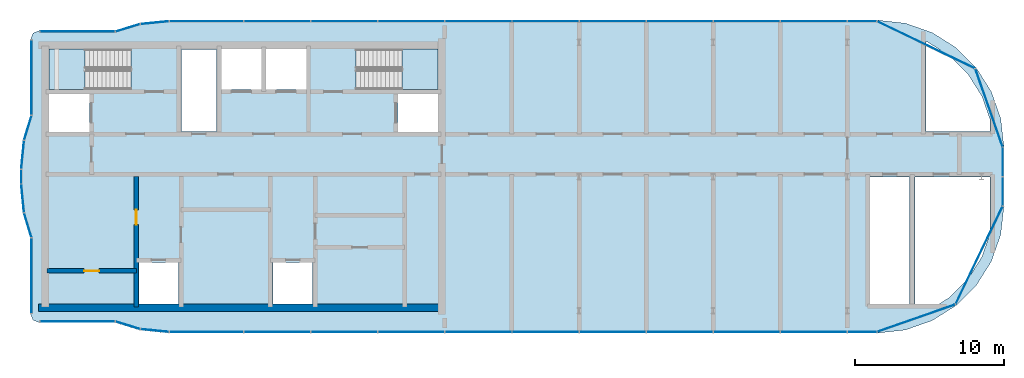
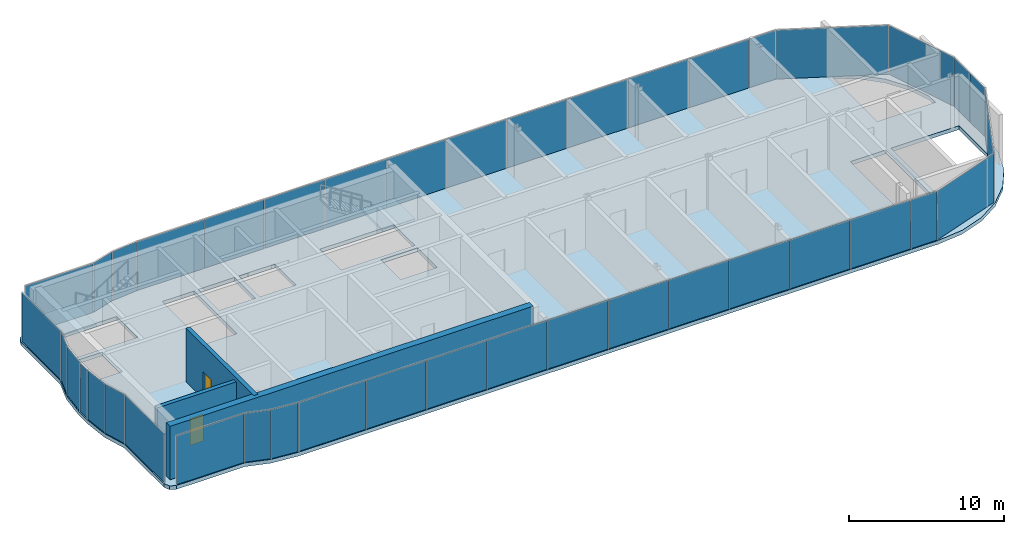
# One storey, part 10 of 14: 41 plates, 3 slabs, 3 walls, 2 doors, 2 openings, 22 elements without a shape of their own.
"""IFC4 building model written with IfcOpenShell, lengths in metres."""

import ifcopenshell
import ifcopenshell.guid

model = None  # the IFC model being written
_history = None  # IfcOwnerHistory: only IFC2X3 demands one
_inside = {}  # id of a spatial element -> (the spatial element, [elements in it])
_under = {}  # id of a project, library or spatial element -> (it, [spatial elements below it])
_declared = {}  # id of a project -> (the project, [libraries it declares])
_typed = {}  # id of a type object -> (the type object, [elements of that type])
_made_of = {}  # id of a material, layer set ... -> (it, [elements and type objects made of it])


def new_model(schema):
    """Start an empty IFC model of exactly this schema.

    Asked for "IFC4X3", IfcOpenShell would pick the latest addendum, in which some entities
    have other attributes; the version numbers below select the first issue.
    IFC2X3 requires an IfcOwnerHistory on every rooted entity: one is made here for all.
    """
    global model, _history
    if schema == "IFC4X3":
        model = ifcopenshell.file(schema_version=(4, 3, 0, 0))
    else:
        model = ifcopenshell.file(schema=schema)
    _inside.clear()
    _under.clear()
    _declared.clear()
    _typed.clear()
    _made_of.clear()
    _history = None
    if model.schema == "IFC2X3":
        org = make("IfcOrganization", Name="unknown")
        user = make(
            "IfcPersonAndOrganization",
            ThePerson=make("IfcPerson", FamilyName="unknown"),
            TheOrganization=org,
        )
        app = make(
            "IfcApplication",
            ApplicationDeveloper=org,
            Version="unknown",
            ApplicationFullName="unknown",
            ApplicationIdentifier="unknown",
        )
        _history = make(
            "IfcOwnerHistory",
            OwningUser=user,
            OwningApplication=app,
            ChangeAction="ADDED",
            CreationDate=0,
        )
    return model


def make(cls, **values):
    """One entity of the class cls with the attributes given. An attribute that is None is left unset."""
    return model.create_entity(
        cls, **{name: value for name, value in values.items() if value is not None}
    )


def rooted(cls, **values):
    """An entity with a GlobalId (a new one), such as an element, a storey or a relation."""
    return make(cls, GlobalId=ifcopenshell.guid.new(), OwnerHistory=_history, **values)


def si_unit(unit_type, name, prefix=None):
    """IfcSIUnit, for example si_unit("LENGTHUNIT", "METRE", prefix="MILLI")."""
    return make("IfcSIUnit", UnitType=unit_type, Prefix=prefix, Name=name)


def assignment(units):
    """IfcUnitAssignment: the units of a project."""
    return None if units is None else make("IfcUnitAssignment", Units=units)


def point(xyz):
    """IfcCartesianPoint."""
    return None if xyz is None else make("IfcCartesianPoint", Coordinates=xyz)


def direction(xyz):
    """IfcDirection."""
    return None if xyz is None else make("IfcDirection", DirectionRatios=xyz)


def frame(location, z_axis=None, x_axis=None):
    """IfcAxis2Placement3D, a coordinate frame: its origin and axes. An axis left out is left unset."""
    return make(
        "IfcAxis2Placement3D",
        Location=point(location),
        Axis=direction(z_axis),
        RefDirection=direction(x_axis),
    )


def frame_2d(location, x_axis=None):
    """IfcAxis2Placement2D, a coordinate frame in the plane: its origin and x axis."""
    return make(
        "IfcAxis2Placement2D", Location=point(location), RefDirection=direction(x_axis)
    )


def origin():
    """The frame at (0, 0, 0) with its axes left unset."""
    return frame((0.0, 0.0, 0.0))


def origin_2d():
    """The frame at (0, 0) in the plane with its x axis left unset."""
    return frame_2d((0.0, 0.0))


def place(relative_to, where):
    """IfcLocalPlacement: puts the frame where relative to a parent placement (None: the world)."""
    return make(
        "IfcLocalPlacement", PlacementRelTo=relative_to, RelativePlacement=where
    )


def context(
    kind, dimensions, precision=None, world=None, true_north=None, identifier=None
):
    """IfcGeometricRepresentationContext, for example the 3D "Model" context."""
    return make(
        "IfcGeometricRepresentationContext",
        ContextIdentifier=identifier,
        ContextType=kind,
        CoordinateSpaceDimension=dimensions,
        Precision=precision,
        WorldCoordinateSystem=world,
        TrueNorth=true_north,
    )


def subcontext(parent, identifier, kind, view, scale=None):
    """IfcGeometricRepresentationSubContext, for example "Body" below "Model"."""
    return make(
        "IfcGeometricRepresentationSubContext",
        ContextIdentifier=identifier,
        ContextType=kind,
        ParentContext=parent,
        TargetScale=scale,
        TargetView=view,
    )


def project(units=None, contexts=None):
    """IfcProject with its units and contexts."""
    return rooted(
        "IfcProject",
        Name="project",
        RepresentationContexts=contexts,
        UnitsInContext=assignment(units),
    )


def spatial(cls, under=None, at=None, **own):
    """A site, building, storey or space (cls), placed at a placement, below another one or the project."""
    s = rooted(cls, ObjectPlacement=at, **own)
    if under is not None:
        _under.setdefault(under.id(), (under, []))[1].append(s)
    return s


def polyline(points):
    """IfcPolyline through the points."""
    return make("IfcPolyline", Points=[point(p) for p in points])


def profile(cls, at=None, kind="AREA", **sizes):
    """A parametric profile (cls). Its sizes go by their IFC names, for example OverallWidth=200.0."""
    return make(cls, ProfileType=kind, Position=at, **sizes)


def rectangle(**sizes):
    """IfcRectangleProfileDef."""
    return profile("IfcRectangleProfileDef", **sizes)


def outline(outer, holes=None, kind="AREA"):
    """IfcArbitraryClosedProfileDef: a profile drawn as a closed curve; with holes, ...WithVoids."""
    if holes is None:
        return make("IfcArbitraryClosedProfileDef", ProfileType=kind, OuterCurve=outer)
    return make(
        "IfcArbitraryProfileDefWithVoids",
        ProfileType=kind,
        OuterCurve=outer,
        InnerCurves=holes,
    )


def extrude(swept, where, along, depth):
    """IfcExtrudedAreaSolid: the profile swept, set in the frame where, extruded along a direction by depth."""
    return make(
        "IfcExtrudedAreaSolid",
        SweptArea=swept,
        Position=where,
        ExtrudedDirection=direction(along),
        Depth=depth,
    )


def shape(context_of_items, identifier, shape_type, items):
    """IfcShapeRepresentation: the items that make up one representation, for example the "Body"."""
    return make(
        "IfcShapeRepresentation",
        ContextOfItems=context_of_items,
        RepresentationIdentifier=identifier,
        RepresentationType=shape_type,
        Items=items,
    )


def material(Name=None, Category=None):
    """IfcMaterial."""
    return make("IfcMaterial", Name=Name, Category=Category)


def layer(
    of_material, thickness, ventilated=None, Name=None, Category=None, Priority=None
):
    """IfcMaterialLayer: one layer of a wall or slab, of a material (None: an air gap)."""
    return make(
        "IfcMaterialLayer",
        Material=of_material,
        LayerThickness=thickness,
        IsVentilated=ventilated,
        Name=Name,
        Category=Category,
        Priority=Priority,
    )


def layer_set(layers, Name=None):
    """IfcMaterialLayerSet."""
    return make("IfcMaterialLayerSet", MaterialLayers=layers, LayerSetName=Name)


def made_of(thing, what):
    """Note that an element or type object is made of a material, layer set ...; save() writes the relation."""
    if what is not None:
        _made_of.setdefault(what.id(), (what, []))[1].append(thing)
    return thing


def type_object(cls, material=None, **own):
    """A type object (cls), such as IfcWallType, which elements share."""
    return made_of(rooted(cls, **own), material)


def element(
    cls,
    number,
    at=None,
    inside=None,
    cuts=None,
    type_object=None,
    material=None,
    context=None,
    identifier="Body",
    shape_type=None,
    held_by="IfcProductDefinitionShape",
    body=None,
    shapes=None,
    **own,
):
    """One element of the class cls, such as IfcWall. Its Tag is "e" and its number.

    at: its placement. inside: the storey or other place that contains it. cuts: it is an
    opening in that element (IfcRelVoidsElement). A single representation is given by context,
    identifier, shape_type and body (its items); several are given by shapes. held_by: the class
    of the entity that holds the representations. save() writes the other relations.
    """
    e = rooted(cls, Tag="e%d" % number, ObjectPlacement=at, **own)
    if body is not None:
        shapes = [shape(context, identifier, shape_type, body)]
    if shapes is not None:
        e.Representation = make(held_by, Representations=shapes)
    if inside is not None:
        _inside.setdefault(inside.id(), (inside, []))[1].append(e)
    if cuts is not None:
        rooted(
            "IfcRelVoidsElement", RelatingBuildingElement=cuts, RelatedOpeningElement=e
        )
    if type_object is not None:
        _typed.setdefault(type_object.id(), (type_object, []))[1].append(e)
    return made_of(e, material)


def fill(opening, filler):
    """IfcRelFillsElement: the door or window that sits in an opening."""
    return rooted(
        "IfcRelFillsElement",
        RelatingOpeningElement=opening,
        RelatedBuildingElement=filler,
    )


def aggregate(whole, parts):
    """IfcRelAggregates: a whole, such as a stair, and the parts it consists of."""
    return rooted("IfcRelAggregates", RelatingObject=whole, RelatedObjects=parts)


def save(model, path):
    """Write the relations noted so far, then the file.

    IfcRelAggregates (storeys below a building ...), IfcRelContainedInSpatialStructure (elements
    in a storey), IfcRelDefinesByType, IfcRelAssociatesMaterial and IfcRelDeclares: one each for
    every whole, place, type object, material and project.
    """
    for whole, parts in _under.values():
        aggregate(whole, parts)
    for where, things in _inside.values():
        rooted(
            "IfcRelContainedInSpatialStructure",
            RelatedElements=things,
            RelatingStructure=where,
        )
    for kind, things in _typed.values():
        rooted("IfcRelDefinesByType", RelatedObjects=things, RelatingType=kind)
    for what, things in _made_of.values():
        rooted("IfcRelAssociatesMaterial", RelatedObjects=things, RelatingMaterial=what)
    for by, libraries in _declared.values():
        rooted("IfcRelDeclares", RelatingContext=by, RelatedDefinitions=libraries)
    model.write(path)


model = new_model("IFC4")

# Units and contexts
model_context = context("Model", 3, precision=1e-05, world=origin(), true_north=direction((0.0, 1.0)))
body_context = subcontext(model_context, "Body", "Model", "MODEL_VIEW")
ifc_project = project(units=[si_unit("LENGTHUNIT", "METRE"), si_unit("AREAUNIT", "SQUARE_METRE"), si_unit("VOLUMEUNIT", "CUBIC_METRE"), si_unit("PLANEANGLEUNIT", "RADIAN"), si_unit("MASSUNIT", "GRAM", prefix="KILO")], contexts=[model_context])

# Site, building, storey
site_placement = place(None, origin())
site = spatial("IfcSite", under=ifc_project, at=site_placement, CompositionType="ELEMENT")
building_placement = place(site_placement, origin())
building = spatial("IfcBuilding", under=site, at=building_placement, Name="Ogive Portal Towers", CompositionType="ELEMENT")
storey_placement = place(building_placement, frame((0.0, 0.0, 277.10009765625)))
storey = spatial("IfcBuildingStorey", under=building, at=storey_placement, Name="L67", CompositionType="ELEMENT", Elevation=277.10009765625)

# Curtain wall, plate
ifc_material_1 = material(Name="Glass, clear low-iron insulated glazing", Category="glass")
curtain_wall_type = type_object("IfcCurtainWallType", Name="CW CROWN GLAZING", PredefinedType="NOTDEFINED", material=ifc_material_1)
curtain_wall_1_placement = place(storey_placement, origin())
curtain_wall_1 = element("IfcCurtainWall", 1, at=curtain_wall_1_placement, inside=storey, type_object=curtain_wall_type, Name="A:L67:c00:cw", PredefinedType="NOTDEFINED")
ifc_layer_1 = layer(ifc_material_1, 0.028076171875)
ifc_layer_set_1 = layer_set([ifc_layer_1], Name="CW PANEL IGU 28")
plate_type = type_object("IfcPlateType", Name="CW PANEL IGU 28", PredefinedType="CURTAIN_PANEL", material=ifc_layer_set_1)
plate_1_placement = place(storey_placement, frame((30.780029296875, 23.851318359375, 0.0), z_axis=(0.0, 0.0, 1.0), x_axis=(0.0, -1.0, 0.0)))
plate_1 = element("IfcPlate", 2, at=plate_1_placement, type_object=plate_type, Name="panel", PredefinedType="CURTAIN_PANEL", context=body_context, shape_type="SweptSolid", body=[
    extrude(rectangle(XDim=5.010986328125, YDim=0.028076171875, at=origin_2d()), origin(), (0.0, 0.0, 1.0), 3.840087890625),
])
aggregate(curtain_wall_1, [plate_1])

curtain_wall_2_placement = place(storey_placement, origin())
curtain_wall_2 = element("IfcCurtainWall", 3, at=curtain_wall_2_placement, inside=storey, type_object=curtain_wall_type, Name="A:L67:c03:cw", PredefinedType="NOTDEFINED")
plate_2_placement = place(storey_placement, frame((33.851318359375, 20.780029296875, 0.0), z_axis=(0.0, 0.0, 1.0), x_axis=(1.0, 0.0, 0.0)))
plate_2 = element("IfcPlate", 4, at=plate_2_placement, type_object=plate_type, Name="panel", PredefinedType="CURTAIN_PANEL", context=body_context, shape_type="SweptSolid", body=[
    extrude(rectangle(XDim=5.010986328125, YDim=0.028076171875, at=origin_2d()), origin(), (0.0, 0.0, 1.0), 3.840087890625),
])
aggregate(curtain_wall_2, [plate_2])

curtain_wall_3_placement = place(storey_placement, origin())
curtain_wall_3 = element("IfcCurtainWall", 5, at=curtain_wall_3_placement, inside=storey, type_object=curtain_wall_type, Name="A:L67:c04:cw", PredefinedType="NOTDEFINED")
plate_3_placement = place(storey_placement, frame((37.225830078125, 20.525390625, 0.0), z_axis=(0.0, 0.0, 1.0), x_axis=(0.956940335732, -0.290284677254, 0.0)))
plate_3 = element("IfcPlate", 6, at=plate_3_placement, type_object=plate_type, Name="panel", PredefinedType="CURTAIN_PANEL", context=body_context, shape_type="SweptSolid", body=[
    extrude(rectangle(XDim=1.693603515625, YDim=0.028076171875, at=origin_2d()), origin(), (0.0, 0.0, 1.0), 3.840087890625),
])
aggregate(curtain_wall_3, [plate_3])

curtain_wall_4_placement = place(storey_placement, origin())
curtain_wall_4 = element("IfcCurtainWall", 7, at=curtain_wall_4_placement, inside=storey, type_object=curtain_wall_type, Name="A:L67:c05:cw", PredefinedType="NOTDEFINED")
plate_4_placement = place(storey_placement, frame((39.034423828125, 20.175537109375, 0.0), z_axis=(0.0, 0.0, 1.0), x_axis=(0.995184726672, -0.09801714033, 0.0)))
plate_4 = element("IfcPlate", 8, at=plate_4_placement, type_object=plate_type, Name="panel", PredefinedType="CURTAIN_PANEL", context=body_context, shape_type="SweptSolid", body=[
    extrude(rectangle(XDim=1.888427734375, YDim=0.028076171875, at=origin_2d()), origin(), (0.0, 0.0, 1.0), 3.840087890625),
])
aggregate(curtain_wall_4, [plate_4])

# Curtain wall, plates
curtain_wall_5_placement = place(storey_placement, origin())
curtain_wall_5 = element("IfcCurtainWall", 9, at=curtain_wall_5_placement, inside=storey, type_object=curtain_wall_type, Name="A:L67:c06:cw", PredefinedType="NOTDEFINED")
plate_5_placement = place(storey_placement, frame((42.501953125, 20.080078125, 0.0), z_axis=(0.0, 0.0, 1.0), x_axis=(1.0, 0.0, 0.0)))
plate_5 = element("IfcPlate", 10, at=plate_5_placement, type_object=plate_type, Name="panel", PredefinedType="CURTAIN_PANEL", context=body_context, shape_type="SweptSolid", body=[
    extrude(rectangle(XDim=4.93603515625, YDim=0.028076171875, at=origin_2d()), origin(), (0.0, 0.0, 1.0), 3.840087890625),
])
plate_6_placement = place(storey_placement, frame((47.25, 20.080078125, 0.0), z_axis=(0.0, 0.0, 1.0), x_axis=(1.0, 0.0, 0.0)))
plate_6 = element("IfcPlate", 11, at=plate_6_placement, type_object=plate_type, Name="panel", PredefinedType="CURTAIN_PANEL", context=body_context, shape_type="SweptSolid", body=[
    extrude(rectangle(XDim=4.43994140625, YDim=0.028076171875, at=origin_2d()), origin(), (0.0, 0.0, 1.0), 3.840087890625),
])
plate_7_placement = place(storey_placement, frame((51.75, 20.080078125, 0.0), z_axis=(0.0, 0.0, 1.0), x_axis=(1.0, 0.0, 0.0)))
plate_7 = element("IfcPlate", 12, at=plate_7_placement, type_object=plate_type, Name="panel", PredefinedType="CURTAIN_PANEL", context=body_context, shape_type="SweptSolid", body=[
    extrude(rectangle(XDim=4.43994140625, YDim=0.028076171875, at=origin_2d()), origin(), (0.0, 0.0, 1.0), 3.840087890625),
])
plate_8_placement = place(storey_placement, frame((56.25, 20.080078125, 0.0), z_axis=(0.0, 0.0, 1.0), x_axis=(1.0, 0.0, 0.0)))
plate_8 = element("IfcPlate", 13, at=plate_8_placement, type_object=plate_type, Name="panel", PredefinedType="CURTAIN_PANEL", context=body_context, shape_type="SweptSolid", body=[
    extrude(rectangle(XDim=4.43994140625, YDim=0.028076171875, at=origin_2d()), origin(), (0.0, 0.0, 1.0), 3.840087890625),
])
plate_9_placement = place(storey_placement, frame((60.75, 20.080078125, 0.0), z_axis=(0.0, 0.0, 1.0), x_axis=(1.0, 0.0, 0.0)))
plate_9 = element("IfcPlate", 14, at=plate_9_placement, type_object=plate_type, Name="panel", PredefinedType="CURTAIN_PANEL", context=body_context, shape_type="SweptSolid", body=[
    extrude(rectangle(XDim=4.43994140625, YDim=0.028076171875, at=origin_2d()), origin(), (0.0, 0.0, 1.0), 3.840087890625),
])
plate_10_placement = place(storey_placement, frame((65.25, 20.080078125, 0.0), z_axis=(0.0, 0.0, 1.0), x_axis=(1.0, 0.0, 0.0)))
plate_10 = element("IfcPlate", 15, at=plate_10_placement, type_object=plate_type, Name="panel", PredefinedType="CURTAIN_PANEL", context=body_context, shape_type="SweptSolid", body=[
    extrude(rectangle(XDim=4.43994140625, YDim=0.028076171875, at=origin_2d()), origin(), (0.0, 0.0, 1.0), 3.840087890625),
])
plate_11_placement = place(storey_placement, frame((69.75, 20.080078125, 0.0), z_axis=(0.0, 0.0, 1.0), x_axis=(1.0, 0.0, 0.0)))
plate_11 = element("IfcPlate", 16, at=plate_11_placement, type_object=plate_type, Name="panel", PredefinedType="CURTAIN_PANEL", context=body_context, shape_type="SweptSolid", body=[
    extrude(rectangle(XDim=4.43994140625, YDim=0.028076171875, at=origin_2d()), origin(), (0.0, 0.0, 1.0), 3.840087890625),
])
plate_12_placement = place(storey_placement, frame((74.25, 20.080078125, 0.0), z_axis=(0.0, 0.0, 1.0), x_axis=(1.0, 0.0, 0.0)))
plate_12 = element("IfcPlate", 17, at=plate_12_placement, type_object=plate_type, Name="panel", PredefinedType="CURTAIN_PANEL", context=body_context, shape_type="SweptSolid", body=[
    extrude(rectangle(XDim=4.43994140625, YDim=0.028076171875, at=origin_2d()), origin(), (0.0, 0.0, 1.0), 3.840087890625),
])
plate_13_placement = place(storey_placement, frame((78.75, 20.080078125, 0.0), z_axis=(0.0, 0.0, 1.0), x_axis=(1.0, 0.0, 0.0)))
plate_13 = element("IfcPlate", 18, at=plate_13_placement, type_object=plate_type, Name="panel", PredefinedType="CURTAIN_PANEL", context=body_context, shape_type="SweptSolid", body=[
    extrude(rectangle(XDim=4.43994140625, YDim=0.028076171875, at=origin_2d()), origin(), (0.0, 0.0, 1.0), 3.840087890625),
])
plate_14_placement = place(storey_placement, frame((83.25, 20.080078125, 0.0), z_axis=(0.0, 0.0, 1.0), x_axis=(1.0, 0.0, 0.0)))
plate_14 = element("IfcPlate", 19, at=plate_14_placement, type_object=plate_type, Name="panel", PredefinedType="CURTAIN_PANEL", context=body_context, shape_type="SweptSolid", body=[
    extrude(rectangle(XDim=4.43994140625, YDim=0.028076171875, at=origin_2d()), origin(), (0.0, 0.0, 1.0), 3.840087890625),
])
plate_15_placement = place(storey_placement, frame((86.4931640625, 20.080078125, 0.0), z_axis=(0.0, 0.0, 1.0), x_axis=(1.0, 0.0, 0.0)))
plate_15 = element("IfcPlate", 20, at=plate_15_placement, type_object=plate_type, Name="panel", PredefinedType="CURTAIN_PANEL", context=body_context, shape_type="SweptSolid", body=[
    extrude(rectangle(XDim=1.926513671875, YDim=0.028076171875, at=origin_2d()), origin(), (0.0, 0.0, 1.0), 3.840087890625),
])
aggregate(curtain_wall_5, [plate_5, plate_6, plate_7, plate_8, plate_9, plate_10, plate_11, plate_12, plate_13, plate_14, plate_15])

# Curtain wall, plate
curtain_wall_6_placement = place(storey_placement, origin())
curtain_wall_6 = element("IfcCurtainWall", 21, at=curtain_wall_6_placement, inside=storey, type_object=curtain_wall_type, Name="A:L67:c07:cw", PredefinedType="NOTDEFINED")
plate_16_placement = place(storey_placement, frame((90.1142578125, 20.99951171875, 0.0), z_axis=(0.0, 0.0, 1.0), x_axis=(0.943883330307, 0.33027906196, 0.0)))
plate_16 = element("IfcPlate", 22, at=plate_16_placement, type_object=plate_type, Name="panel", PredefinedType="CURTAIN_PANEL", context=body_context, shape_type="SweptSolid", body=[
    extrude(rectangle(XDim=5.508056640625, YDim=0.028076171875, at=origin_2d()), origin(), (0.0, 0.0, 1.0), 3.840087890625),
])
aggregate(curtain_wall_6, [plate_16])

curtain_wall_7_placement = place(storey_placement, origin())
curtain_wall_7 = element("IfcCurtainWall", 23, at=curtain_wall_7_placement, inside=storey, type_object=curtain_wall_type, Name="A:L67:c08:cw", PredefinedType="NOTDEFINED")
plate_17_placement = place(storey_placement, frame((94.3310546875, 25.21875, 0.0), z_axis=(0.0, 0.0, 1.0), x_axis=(0.433883739113, 0.900968867905, 0.0)))
plate_17 = element("IfcPlate", 24, at=plate_17_placement, type_object=plate_type, Name="panel", PredefinedType="CURTAIN_PANEL", context=body_context, shape_type="SweptSolid", body=[
    extrude(rectangle(XDim=7.2646484375, YDim=0.028076171875, at=origin_2d()), origin(), (0.0, 0.0, 1.0), 3.840087890625),
])
aggregate(curtain_wall_7, [plate_17])

# Curtain wall, plates
curtain_wall_8_placement = place(storey_placement, origin())
curtain_wall_8 = element("IfcCurtainWall", 25, at=curtain_wall_8_placement, inside=storey, type_object=curtain_wall_type, Name="A:L67:c09:cw", PredefinedType="NOTDEFINED")
plate_18_placement = place(storey_placement, frame((95.919921875, 29.509033203125, 0.0), z_axis=(0.0, 0.0, 1.0), x_axis=(0.0, 1.0, 0.0)))
plate_18 = element("IfcPlate", 26, at=plate_18_placement, type_object=plate_type, Name="panel", PredefinedType="CURTAIN_PANEL", context=body_context, shape_type="SweptSolid", body=[
    extrude(rectangle(XDim=1.921630859375, YDim=0.028076171875, at=origin_2d()), origin(), (0.0, 0.0, 1.0), 3.840087890625),
])
plate_19_placement = place(storey_placement, frame((95.919921875, 31.4931640625, 0.0), z_axis=(0.0, 0.0, 1.0), x_axis=(0.0, 1.0, 0.0)))
plate_19 = element("IfcPlate", 27, at=plate_19_placement, type_object=plate_type, Name="panel", PredefinedType="CURTAIN_PANEL", context=body_context, shape_type="SweptSolid", body=[
    extrude(rectangle(XDim=1.926513671875, YDim=0.028076171875, at=origin_2d()), origin(), (0.0, 0.0, 1.0), 3.840087890625),
])
aggregate(curtain_wall_8, [plate_18, plate_19])

# Curtain wall, plate
curtain_wall_9_placement = place(storey_placement, origin())
curtain_wall_9 = element("IfcCurtainWall", 28, at=curtain_wall_9_placement, inside=storey, type_object=curtain_wall_type, Name="A:L67:c10:cw", PredefinedType="NOTDEFINED")
plate_20_placement = place(storey_placement, frame((95.00048828125, 35.1142578125, 0.0), z_axis=(0.0, 0.0, 1.0), x_axis=(-0.33027906196, 0.943883330307, 0.0)))
plate_20 = element("IfcPlate", 29, at=plate_20_placement, type_object=plate_type, Name="panel", PredefinedType="CURTAIN_PANEL", context=body_context, shape_type="SweptSolid", body=[
    extrude(rectangle(XDim=5.508056640625, YDim=0.028076171875, at=origin_2d()), origin(), (0.0, 0.0, 1.0), 3.840087890625),
])
aggregate(curtain_wall_9, [plate_20])

curtain_wall_10_placement = place(storey_placement, origin())
curtain_wall_10 = element("IfcCurtainWall", 30, at=curtain_wall_10_placement, inside=storey, type_object=curtain_wall_type, Name="A:L67:c11:cw", PredefinedType="NOTDEFINED")
plate_21_placement = place(storey_placement, frame((90.78125, 39.3310546875, 0.0), z_axis=(0.0, 0.0, 1.0), x_axis=(-0.900968867905, 0.433883739113, 0.0)))
plate_21 = element("IfcPlate", 31, at=plate_21_placement, type_object=plate_type, Name="panel", PredefinedType="CURTAIN_PANEL", context=body_context, shape_type="SweptSolid", body=[
    extrude(rectangle(XDim=7.2646484375, YDim=0.028076171875, at=origin_2d()), origin(), (0.0, 0.0, 1.0), 3.840087890625),
])
aggregate(curtain_wall_10, [plate_21])

# Curtain wall, plates
curtain_wall_11_placement = place(storey_placement, origin())
curtain_wall_11 = element("IfcCurtainWall", 32, at=curtain_wall_11_placement, inside=storey, type_object=curtain_wall_type, Name="A:L67:c12:cw", PredefinedType="NOTDEFINED")
plate_22_placement = place(storey_placement, frame((86.490966796875, 40.919921875, 0.0), z_axis=(0.0, 0.0, 1.0), x_axis=(-1.0, 0.0, 0.0)))
plate_22 = element("IfcPlate", 33, at=plate_22_placement, type_object=plate_type, Name="panel", PredefinedType="CURTAIN_PANEL", context=body_context, shape_type="SweptSolid", body=[
    extrude(rectangle(XDim=1.921630859375, YDim=0.028076171875, at=origin_2d()), origin(), (0.0, 0.0, 1.0), 3.840087890625),
])
plate_23_placement = place(storey_placement, frame((83.25, 40.919921875, 0.0), z_axis=(0.0, 0.0, 1.0), x_axis=(-1.0, 0.0, 0.0)))
plate_23 = element("IfcPlate", 34, at=plate_23_placement, type_object=plate_type, Name="panel", PredefinedType="CURTAIN_PANEL", context=body_context, shape_type="SweptSolid", body=[
    extrude(rectangle(XDim=4.43994140625, YDim=0.028076171875, at=origin_2d()), origin(), (0.0, 0.0, 1.0), 3.840087890625),
])
plate_24_placement = place(storey_placement, frame((78.75, 40.919921875, 0.0), z_axis=(0.0, 0.0, 1.0), x_axis=(-1.0, 0.0, 0.0)))
plate_24 = element("IfcPlate", 35, at=plate_24_placement, type_object=plate_type, Name="panel", PredefinedType="CURTAIN_PANEL", context=body_context, shape_type="SweptSolid", body=[
    extrude(rectangle(XDim=4.43994140625, YDim=0.028076171875, at=origin_2d()), origin(), (0.0, 0.0, 1.0), 3.840087890625),
])
plate_25_placement = place(storey_placement, frame((74.25, 40.919921875, 0.0), z_axis=(0.0, 0.0, 1.0), x_axis=(-1.0, 0.0, 0.0)))
plate_25 = element("IfcPlate", 36, at=plate_25_placement, type_object=plate_type, Name="panel", PredefinedType="CURTAIN_PANEL", context=body_context, shape_type="SweptSolid", body=[
    extrude(rectangle(XDim=4.43994140625, YDim=0.028076171875, at=origin_2d()), origin(), (0.0, 0.0, 1.0), 3.840087890625),
])
plate_26_placement = place(storey_placement, frame((69.75, 40.919921875, 0.0), z_axis=(0.0, 0.0, 1.0), x_axis=(-1.0, 0.0, 0.0)))
plate_26 = element("IfcPlate", 37, at=plate_26_placement, type_object=plate_type, Name="panel", PredefinedType="CURTAIN_PANEL", context=body_context, shape_type="SweptSolid", body=[
    extrude(rectangle(XDim=4.43994140625, YDim=0.028076171875, at=origin_2d()), origin(), (0.0, 0.0, 1.0), 3.840087890625),
])
plate_27_placement = place(storey_placement, frame((65.25, 40.919921875, 0.0), z_axis=(0.0, 0.0, 1.0), x_axis=(-1.0, 0.0, 0.0)))
plate_27 = element("IfcPlate", 38, at=plate_27_placement, type_object=plate_type, Name="panel", PredefinedType="CURTAIN_PANEL", context=body_context, shape_type="SweptSolid", body=[
    extrude(rectangle(XDim=4.43994140625, YDim=0.028076171875, at=origin_2d()), origin(), (0.0, 0.0, 1.0), 3.840087890625),
])
plate_28_placement = place(storey_placement, frame((60.75, 40.919921875, 0.0), z_axis=(0.0, 0.0, 1.0), x_axis=(-1.0, 0.0, 0.0)))
plate_28 = element("IfcPlate", 39, at=plate_28_placement, type_object=plate_type, Name="panel", PredefinedType="CURTAIN_PANEL", context=body_context, shape_type="SweptSolid", body=[
    extrude(rectangle(XDim=4.43994140625, YDim=0.028076171875, at=origin_2d()), origin(), (0.0, 0.0, 1.0), 3.840087890625),
])
plate_29_placement = place(storey_placement, frame((56.25, 40.919921875, 0.0), z_axis=(0.0, 0.0, 1.0), x_axis=(-1.0, 0.0, 0.0)))
plate_29 = element("IfcPlate", 40, at=plate_29_placement, type_object=plate_type, Name="panel", PredefinedType="CURTAIN_PANEL", context=body_context, shape_type="SweptSolid", body=[
    extrude(rectangle(XDim=4.43994140625, YDim=0.028076171875, at=origin_2d()), origin(), (0.0, 0.0, 1.0), 3.840087890625),
])
plate_30_placement = place(storey_placement, frame((51.75, 40.919921875, 0.0), z_axis=(0.0, 0.0, 1.0), x_axis=(-1.0, 0.0, 0.0)))
plate_30 = element("IfcPlate", 41, at=plate_30_placement, type_object=plate_type, Name="panel", PredefinedType="CURTAIN_PANEL", context=body_context, shape_type="SweptSolid", body=[
    extrude(rectangle(XDim=4.43994140625, YDim=0.028076171875, at=origin_2d()), origin(), (0.0, 0.0, 1.0), 3.840087890625),
])
plate_31_placement = place(storey_placement, frame((47.25, 40.919921875, 0.0), z_axis=(0.0, 0.0, 1.0), x_axis=(-1.0, 0.0, 0.0)))
plate_31 = element("IfcPlate", 42, at=plate_31_placement, type_object=plate_type, Name="panel", PredefinedType="CURTAIN_PANEL", context=body_context, shape_type="SweptSolid", body=[
    extrude(rectangle(XDim=4.43994140625, YDim=0.028076171875, at=origin_2d()), origin(), (0.0, 0.0, 1.0), 3.840087890625),
])
plate_32_placement = place(storey_placement, frame((42.501953125, 40.919921875, 0.0), z_axis=(0.0, 0.0, 1.0), x_axis=(-1.0, 0.0, 0.0)))
plate_32 = element("IfcPlate", 43, at=plate_32_placement, type_object=plate_type, Name="panel", PredefinedType="CURTAIN_PANEL", context=body_context, shape_type="SweptSolid", body=[
    extrude(rectangle(XDim=4.93603515625, YDim=0.028076171875, at=origin_2d()), origin(), (0.0, 0.0, 1.0), 3.840087890625),
])
aggregate(curtain_wall_11, [plate_22, plate_23, plate_24, plate_25, plate_26, plate_27, plate_28, plate_29, plate_30, plate_31, plate_32])

# Curtain wall, plate
curtain_wall_12_placement = place(storey_placement, origin())
curtain_wall_12 = element("IfcCurtainWall", 44, at=curtain_wall_12_placement, inside=storey, type_object=curtain_wall_type, Name="A:L67:c13:cw", PredefinedType="NOTDEFINED")
plate_33_placement = place(storey_placement, frame((39.034423828125, 40.824462890625, 0.0), z_axis=(0.0, 0.0, 1.0), x_axis=(-0.995184726672, -0.09801714033, 0.0)))
plate_33 = element("IfcPlate", 45, at=plate_33_placement, type_object=plate_type, Name="panel", PredefinedType="CURTAIN_PANEL", context=body_context, shape_type="SweptSolid", body=[
    extrude(rectangle(XDim=1.888427734375, YDim=0.028076171875, at=origin_2d()), origin(), (0.0, 0.0, 1.0), 3.840087890625),
])
aggregate(curtain_wall_12, [plate_33])

curtain_wall_13_placement = place(storey_placement, origin())
curtain_wall_13 = element("IfcCurtainWall", 46, at=curtain_wall_13_placement, inside=storey, type_object=curtain_wall_type, Name="A:L67:c14:cw", PredefinedType="NOTDEFINED")
plate_34_placement = place(storey_placement, frame((37.225830078125, 40.474609375, 0.0), z_axis=(0.0, 0.0, 1.0), x_axis=(-0.956940335732, -0.290284677254, 0.0)))
plate_34 = element("IfcPlate", 47, at=plate_34_placement, type_object=plate_type, Name="panel", PredefinedType="CURTAIN_PANEL", context=body_context, shape_type="SweptSolid", body=[
    extrude(rectangle(XDim=1.693603515625, YDim=0.028076171875, at=origin_2d()), origin(), (0.0, 0.0, 1.0), 3.840087890625),
])
aggregate(curtain_wall_13, [plate_34])

curtain_wall_14_placement = place(storey_placement, origin())
curtain_wall_14 = element("IfcCurtainWall", 48, at=curtain_wall_14_placement, inside=storey, type_object=curtain_wall_type, Name="A:L67:c15:cw", PredefinedType="NOTDEFINED")
plate_35_placement = place(storey_placement, frame((33.851318359375, 40.219970703125, 0.0), z_axis=(0.0, 0.0, 1.0), x_axis=(-1.0, 0.0, 0.0)))
plate_35 = element("IfcPlate", 49, at=plate_35_placement, type_object=plate_type, Name="panel", PredefinedType="CURTAIN_PANEL", context=body_context, shape_type="SweptSolid", body=[
    extrude(rectangle(XDim=5.010986328125, YDim=0.028076171875, at=origin_2d()), origin(), (0.0, 0.0, 1.0), 3.840087890625),
])
aggregate(curtain_wall_14, [plate_35])

curtain_wall_15_placement = place(storey_placement, origin())
curtain_wall_15 = element("IfcCurtainWall", 50, at=curtain_wall_15_placement, inside=storey, type_object=curtain_wall_type, Name="A:L67:c18:cw", PredefinedType="NOTDEFINED")
plate_36_placement = place(storey_placement, frame((30.780029296875, 37.148681640625, 0.0), z_axis=(0.0, 0.0, 1.0), x_axis=(0.0, -1.0, 0.0)))
plate_36 = element("IfcPlate", 51, at=plate_36_placement, type_object=plate_type, Name="panel", PredefinedType="CURTAIN_PANEL", context=body_context, shape_type="SweptSolid", body=[
    extrude(rectangle(XDim=5.010986328125, YDim=0.028076171875, at=origin_2d()), origin(), (0.0, 0.0, 1.0), 3.840087890625),
])
aggregate(curtain_wall_15, [plate_36])

curtain_wall_16_placement = place(storey_placement, origin())
curtain_wall_16 = element("IfcCurtainWall", 52, at=curtain_wall_16_placement, inside=storey, type_object=curtain_wall_type, Name="A:L67:c19:cw", PredefinedType="NOTDEFINED")
plate_37_placement = place(storey_placement, frame((30.525390625, 33.774169921875, 0.0), z_axis=(0.0, 0.0, 1.0), x_axis=(-0.290284677254, -0.956940335732, 0.0)))
plate_37 = element("IfcPlate", 53, at=plate_37_placement, type_object=plate_type, Name="panel", PredefinedType="CURTAIN_PANEL", context=body_context, shape_type="SweptSolid", body=[
    extrude(rectangle(XDim=1.693603515625, YDim=0.028076171875, at=origin_2d()), origin(), (0.0, 0.0, 1.0), 3.840087890625),
])
aggregate(curtain_wall_16, [plate_37])

curtain_wall_17_placement = place(storey_placement, origin())
curtain_wall_17 = element("IfcCurtainWall", 54, at=curtain_wall_17_placement, inside=storey, type_object=curtain_wall_type, Name="A:L67:c20:cw", PredefinedType="NOTDEFINED")
plate_38_placement = place(storey_placement, frame((30.175537109375, 31.965576171875, 0.0), z_axis=(0.0, 0.0, 1.0), x_axis=(-0.09801714033, -0.995184726672, 0.0)))
plate_38 = element("IfcPlate", 55, at=plate_38_placement, type_object=plate_type, Name="panel", PredefinedType="CURTAIN_PANEL", context=body_context, shape_type="SweptSolid", body=[
    extrude(rectangle(XDim=1.888427734375, YDim=0.028076171875, at=origin_2d()), origin(), (0.0, 0.0, 1.0), 3.840087890625),
])
aggregate(curtain_wall_17, [plate_38])

curtain_wall_18_placement = place(storey_placement, origin())
curtain_wall_18 = element("IfcCurtainWall", 56, at=curtain_wall_18_placement, inside=storey, type_object=curtain_wall_type, Name="A:L67:c21:cw", PredefinedType="NOTDEFINED")
plate_39_placement = place(storey_placement, frame((30.080078125, 30.5, 0.0), z_axis=(0.0, 0.0, 1.0), x_axis=(0.0, -1.0, 0.0)))
plate_39 = element("IfcPlate", 57, at=plate_39_placement, type_object=plate_type, Name="panel", PredefinedType="CURTAIN_PANEL", context=body_context, shape_type="SweptSolid", body=[
    extrude(rectangle(XDim=0.93212890625, YDim=0.028076171875, at=origin_2d()), origin(), (0.0, 0.0, 1.0), 3.840087890625),
])
aggregate(curtain_wall_18, [plate_39])

curtain_wall_19_placement = place(storey_placement, origin())
curtain_wall_19 = element("IfcCurtainWall", 58, at=curtain_wall_19_placement, inside=storey, type_object=curtain_wall_type, Name="A:L67:c22:cw", PredefinedType="NOTDEFINED")
plate_40_placement = place(storey_placement, frame((30.175537109375, 29.034423828125, 0.0), z_axis=(0.0, 0.0, 1.0), x_axis=(0.09801714033, -0.995184726672, 0.0)))
plate_40 = element("IfcPlate", 59, at=plate_40_placement, type_object=plate_type, Name="panel", PredefinedType="CURTAIN_PANEL", context=body_context, shape_type="SweptSolid", body=[
    extrude(rectangle(XDim=1.888427734375, YDim=0.028076171875, at=origin_2d()), origin(), (0.0, 0.0, 1.0), 3.840087890625),
])
aggregate(curtain_wall_19, [plate_40])

curtain_wall_20_placement = place(storey_placement, origin())
curtain_wall_20 = element("IfcCurtainWall", 60, at=curtain_wall_20_placement, inside=storey, type_object=curtain_wall_type, Name="A:L67:c23:cw", PredefinedType="NOTDEFINED")
plate_41_placement = place(storey_placement, frame((30.525390625, 27.225830078125, 0.0), z_axis=(0.0, 0.0, 1.0), x_axis=(0.290284677254, -0.956940335732, 0.0)))
plate_41 = element("IfcPlate", 61, at=plate_41_placement, type_object=plate_type, Name="panel", PredefinedType="CURTAIN_PANEL", context=body_context, shape_type="SweptSolid", body=[
    extrude(rectangle(XDim=1.693603515625, YDim=0.028076171875, at=origin_2d()), origin(), (0.0, 0.0, 1.0), 3.840087890625),
])
aggregate(curtain_wall_20, [plate_41])

# Stair, slab
ifc_material_2 = material(Name="Concrete C40/50", Category="concrete")
stair_type = type_object("IfcStairType", Name="INT-STAIR", PredefinedType="HALF_TURN_STAIR", material=ifc_material_2)
stair_1_placement = place(storey_placement, origin())
stair_1 = element("IfcStair", 62, at=stair_1_placement, inside=storey, type_object=stair_type, Name="L67 Exit Stair ST-A1", PredefinedType="HALF_TURN_STAIR")
ifc_layer_2 = layer(ifc_material_2, 0.199951171875)
ifc_layer_set_2 = layer_set([ifc_layer_2], Name="INT-LANDING")
slab_type_1 = type_object("IfcSlabType", Name="INT-LANDING", PredefinedType="LANDING", material=ifc_layer_set_2)
slab_1_placement = place(storey_placement, frame((0.0, 0.0, 1.89990234375)))
slab_1 = element("IfcSlab", 63, at=slab_1_placement, type_object=slab_type_1, Name="ST-A1 landing 1", PredefinedType="LANDING", context=body_context, shape_type="SweptSolid", body=[
    extrude(outline(polyline([(34.3701171875, 39.050048828125), (31.949951171875, 39.050048828125), (31.949951171875, 36.35009765625), (34.3701171875, 36.35009765625), (34.3701171875, 39.050048828125)])), origin(), (0.0, 0.0, 1.0), 0.199951171875),
])
aggregate(stair_1, [slab_1])

stair_2_placement = place(storey_placement, origin())
stair_2 = element("IfcStair", 64, at=stair_2_placement, inside=storey, type_object=stair_type, Name="L67 Exit Stair ST-A2", PredefinedType="HALF_TURN_STAIR")
slab_2_placement = place(storey_placement, frame((0.0, 0.0, 1.89990234375)))
slab_2 = element("IfcSlab", 65, at=slab_2_placement, type_object=slab_type_1, Name="ST-A2 landing 1", PredefinedType="LANDING", context=body_context, shape_type="SweptSolid", body=[
    extrude(outline(polyline([(55.6298828125, 36.35009765625), (58.050048828125, 36.35009765625), (58.050048828125, 39.050048828125), (55.6298828125, 39.050048828125), (55.6298828125, 36.35009765625)])), origin(), (0.0, 0.0, 1.0), 0.199951171875),
])
aggregate(stair_2, [slab_2])

# Slab
ifc_material_3 = material(Name="Concrete C45/55", Category="concrete")
ifc_layer_3 = layer(ifc_material_3, 0.300048828125)
ifc_layer_set_3 = layer_set([ifc_layer_3], Name="PT ROOF SLAB 300")
slab_type_2 = type_object("IfcSlabType", Name="PT ROOF SLAB 300", PredefinedType="ROOF", material=ifc_layer_set_3)
slab_3_placement = place(storey_placement, frame((0.0, 0.0, -0.300048828125)))
element("IfcSlab", 66, at=slab_3_placement, inside=storey, type_object=slab_type_2, Name="Crown deck L67", PredefinedType="ROOF", context=body_context, shape_type="SweptSolid", body=[
    extrude(outline(polyline([(30.0, 30.0), (30.192138671875, 28.049072265625), (30.699951171875, 26.375), (30.699951171875, 21.300048828125), (30.875732421875, 20.875732421875), (31.300048828125, 20.699951171875), (36.375, 20.699951171875), (38.049072265625, 20.192138671875), (40.0, 20.0), (87.5, 20.0), (89.391357421875, 20.213134765625), (91.18798828125, 20.841796875), (92.7998046875, 21.8544921875), (94.1455078125, 23.2001953125), (95.158203125, 24.81201171875), (95.786865234375, 26.608642578125), (96.0, 28.5), (96.0, 32.5), (95.786865234375, 34.391357421875), (95.158203125, 36.18798828125), (94.1455078125, 37.7998046875), (92.7998046875, 39.1455078125), (91.18798828125, 40.158203125), (89.391357421875, 40.786865234375), (87.5, 41.0), (40.0, 41.0), (38.049072265625, 40.807861328125), (36.375, 40.300048828125), (31.300048828125, 40.300048828125), (30.875732421875, 40.124267578125), (30.699951171875, 39.699951171875), (30.699951171875, 34.625), (30.192138671875, 32.950927734375), (30.0, 31.0), (30.0, 30.0)]), holes=[polyline([(40.6298828125, 24.72998046875), (40.6298828125, 21.969970703125), (37.969970703125, 21.969970703125), (37.969970703125, 24.72998046875), (40.6298828125, 24.72998046875)]), polyline([(34.64990234375, 36.050048828125), (34.64990234375, 33.5), (31.949951171875, 33.5), (31.949951171875, 36.050048828125), (34.64990234375, 36.050048828125)]), polyline([(43.179931640625, 33.52001953125), (40.820068359375, 33.52001953125), (40.820068359375, 39.030029296875), (43.179931640625, 39.030029296875), (43.179931640625, 33.52001953125)]), polyline([(31.951904296875, 36.35205078125), (31.951904296875, 39.048095703125), (37.447998046875, 39.048095703125), (37.447998046875, 36.35205078125), (31.951904296875, 36.35205078125)]), polyline([(46.199951171875, 39.050048828125), (46.199951171875, 36.35009765625), (43.5, 36.35009765625), (43.5, 39.050048828125), (46.199951171875, 39.050048828125)]), polyline([(49.199951171875, 39.050048828125), (49.199951171875, 36.35009765625), (46.5, 36.35009765625), (46.5, 39.050048828125), (49.199951171875, 39.050048828125)]), polyline([(49.6298828125, 24.72998046875), (49.6298828125, 21.969970703125), (46.969970703125, 21.969970703125), (46.969970703125, 24.72998046875), (49.6298828125, 24.72998046875)]), polyline([(89.679931640625, 21.969970703125), (87.02001953125, 21.969970703125), (87.02001953125, 30.47998046875), (89.679931640625, 30.47998046875), (89.679931640625, 21.969970703125)]), polyline([(93.5947265625, 23.639404296875), (92.360595703125, 22.4052734375), (91.66796875, 21.969970703125), (90.02001953125, 21.969970703125), (90.02001953125, 30.47998046875), (95.080078125, 30.47998046875), (95.080078125, 26.707763671875), (94.523681640625, 25.11767578125), (93.5947265625, 23.639404296875)]), polyline([(55.35009765625, 36.050048828125), (58.050048828125, 36.050048828125), (58.050048828125, 33.5), (55.35009765625, 33.5), (55.35009765625, 36.050048828125)]), polyline([(93.5947265625, 37.360595703125), (94.523681640625, 35.88232421875), (95.080078125, 34.292236328125), (95.080078125, 33.52001953125), (90.77001953125, 33.52001953125), (90.77001953125, 39.56298828125), (90.88232421875, 39.523681640625), (92.360595703125, 38.5947265625), (93.5947265625, 37.360595703125)]), polyline([(58.048095703125, 36.35205078125), (52.552001953125, 36.35205078125), (52.552001953125, 39.048095703125), (58.048095703125, 39.048095703125), (58.048095703125, 36.35205078125)])]), origin(), (0.0, 0.0, 1.0), 0.300048828125),
])

# Wall, opening, door
ifc_material_4 = material(Name="Concrete C60/75", Category="concrete")
ifc_layer_4 = layer(ifc_material_4, 0.300048828125)
ifc_layer_set_4 = layer_set([ifc_layer_4], Name="CORE WALL 300 C60")
wall_type_1 = type_object("IfcWallType", Name="CORE WALL 300 C60", PredefinedType="SHEAR", material=ifc_layer_set_4)
wall_1_placement = place(storey_placement, frame((37.800048828125, 21.75, 0.0), z_axis=(0.0, 0.0, 1.0), x_axis=(0.0, 1.0, 0.0)))
wall_1 = element("IfcWall", 67, at=wall_1_placement, inside=storey, type_object=wall_type_1, Name="Core wall X1 L67", PredefinedType="SHEAR", context=body_context, shape_type="SweptSolid", body=[
    extrude(rectangle(XDim=8.75, YDim=0.300048828125, at=frame_2d((4.375, 0.0))), origin(), (0.0, 0.0, 1.0), 4.199951171875),
])
opening_1_placement = place(wall_1_placement, frame((5.52490234375, 0.0, 0.0)))
opening_1 = element("IfcOpeningElement", 68, at=opening_1_placement, cuts=wall_1, Name="Opening D33-015", PredefinedType="OPENING", context=body_context, shape_type="SweptSolid", body=[
    extrude(rectangle(XDim=1.0, YDim=2.10009765625, at=frame_2d((0.5, 1.050048828125))), frame((0.0, 0.16015625, 0.0), z_axis=(0.0, -1.0, 0.0), x_axis=(1.0, 0.0, 0.0)), (0.0, 0.0, 1.0), 0.320068359375),
])
ifc_material_5 = material(Name="Steel fire door", Category="steel")
door_type_1 = type_object("IfcDoorType", Name="DT-SWING-1000x2100-FD90S", OperationType="SINGLE_SWING_LEFT", PredefinedType="DOOR", material=ifc_material_5)
door_1_placement = place(opening_1_placement, origin())
door_1 = element("IfcDoor", 69, at=door_1_placement, inside=storey, type_object=door_type_1, Name="Door D33-015", OperationType="SINGLE_SWING_LEFT", OverallHeight=2.10009765625, OverallWidth=1.0, PredefinedType="DOOR", context=body_context, shape_type="SweptSolid", body=[
    extrude(rectangle(XDim=1.0, YDim=2.10009765625, at=frame_2d((0.5, 1.050048828125))), frame((0.0, 0.02490234375, 0.0), z_axis=(0.0, -1.0, 0.0), x_axis=(1.0, 0.0, 0.0)), (0.0, 0.0, 1.0), 0.050048828125),
])
fill(opening_1, door_1)

# Wall
ifc_layer_5 = layer(ifc_material_4, 0.5)
ifc_layer_set_5 = layer_set([ifc_layer_5], Name="CORE WALL 500 C60")
wall_type_2 = type_object("IfcWallType", Name="CORE WALL 500 C60", PredefinedType="SHEAR", material=ifc_layer_set_5)
wall_2_placement = place(storey_placement, frame((31.25, 21.699951171875, 0.0), z_axis=(0.0, 0.0, 1.0), x_axis=(1.0, 0.0, 0.0)))
element("IfcWall", 70, at=wall_2_placement, inside=storey, type_object=wall_type_2, Name="Core wall S L67", PredefinedType="SHEAR", context=body_context, shape_type="SweptSolid", body=[
    extrude(rectangle(XDim=27.0, YDim=0.5, at=frame_2d((13.5, 0.0))), origin(), (0.0, 0.0, 1.0), 4.199951171875),
])

# Wall, opening, door
ifc_material_6 = material(Name="Gypsum board partition on steel studs", Category="steel")
ifc_layer_6 = layer(ifc_material_6, 0.300048828125)
ifc_layer_set_6 = layer_set([ifc_layer_6], Name="WT-PART-300")
wall_type_3 = type_object("IfcWallType", Name="WT-PART-300", PredefinedType="PARTITIONING", material=ifc_layer_set_6)
wall_3_placement = place(storey_placement, frame((31.800048828125, 24.173095703125, 0.0), z_axis=(0.0, 0.0, 1.0), x_axis=(1.0, 0.0, 0.0)))
wall_3 = element("IfcWall", 71, at=wall_3_placement, inside=storey, type_object=wall_type_3, Name="Wall pw:001:L67", PredefinedType="PARTITIONING", context=body_context, shape_type="SweptSolid", body=[
    extrude(rectangle(XDim=6.0, YDim=0.300048828125, at=frame_2d((3.0, 0.0))), origin(), (0.0, 0.0, 1.0), 3.89990234375),
])
opening_2_placement = place(wall_3_placement, frame((2.5, 0.0, 0.0)))
opening_2 = element("IfcOpeningElement", 72, at=opening_2_placement, cuts=wall_3, Name="Opening D33-016", PredefinedType="OPENING", context=body_context, shape_type="SweptSolid", body=[
    extrude(rectangle(XDim=1.0, YDim=2.10009765625, at=frame_2d((0.5, 1.050048828125))), frame((0.0, 0.16015625, 0.0), z_axis=(0.0, -1.0, 0.0), x_axis=(1.0, 0.0, 0.0)), (0.0, 0.0, 1.0), 0.320068359375),
])
door_type_2 = type_object("IfcDoorType", Name="DT-SWING-1000x2100-FD60S", OperationType="SINGLE_SWING_LEFT", PredefinedType="DOOR", material=ifc_material_5)
door_2_placement = place(opening_2_placement, origin())
door_2 = element("IfcDoor", 73, at=door_2_placement, inside=storey, type_object=door_type_2, Name="Riser access door D33-016", OperationType="SINGLE_SWING_RIGHT", OverallHeight=2.10009765625, OverallWidth=1.0, PredefinedType="DOOR", context=body_context, shape_type="SweptSolid", body=[
    extrude(rectangle(XDim=1.0, YDim=2.10009765625, at=frame_2d((0.5, 1.050048828125))), frame((0.0, 0.02490234375, 0.0), z_axis=(0.0, -1.0, 0.0), x_axis=(1.0, 0.0, 0.0)), (0.0, 0.0, 1.0), 0.050048828125),
])
fill(opening_2, door_2)

save(model, "model.ifc")
